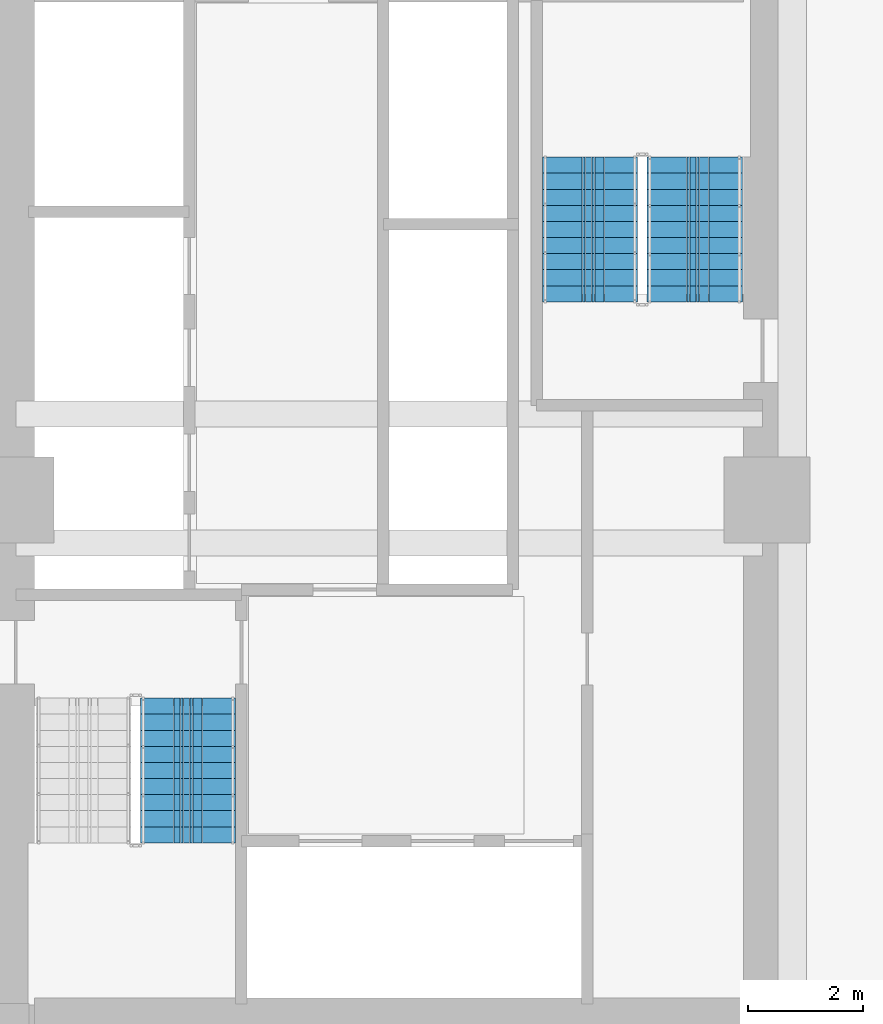
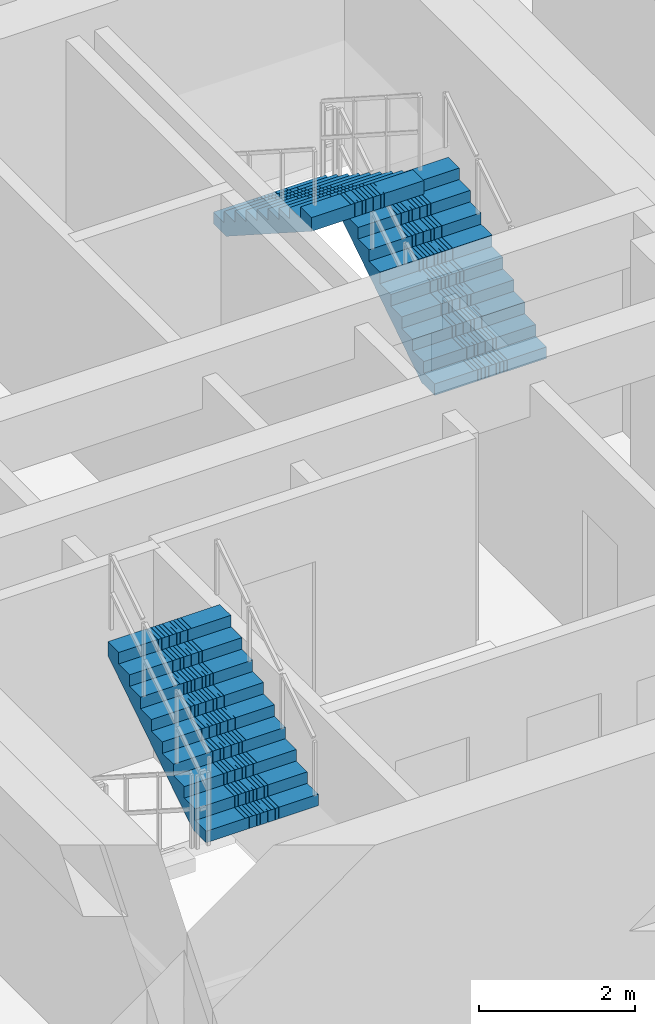
# One storey, part 22 of 30: 3 stair flights, 2 elements without a shape of their own.
"""IFC4 building model written with IfcOpenShell, lengths in metres."""

from ifc_helpers import new_model, si_unit, direction, frame, origin, place, context, subcontext, project, spatial, polyline, outline, extrude, material, type_object, element, aggregate, save


model = new_model("IFC4")

# Units and contexts
model_context = context("Model", 3, precision=1e-05, world=origin(), true_north=direction((0.0, 1.0)))
body_context = subcontext(model_context, "Body", "Model", "MODEL_VIEW")
ifc_project = project(units=[si_unit("LENGTHUNIT", "METRE"), si_unit("AREAUNIT", "SQUARE_METRE"), si_unit("VOLUMEUNIT", "CUBIC_METRE"), si_unit("PLANEANGLEUNIT", "RADIAN"), si_unit("MASSUNIT", "GRAM", prefix="KILO")], contexts=[model_context])

# Site, building, storey
site_placement = place(None, origin())
site = spatial("IfcSite", under=ifc_project, at=site_placement, CompositionType="ELEMENT")
building_placement = place(site_placement, origin())
building = spatial("IfcBuilding", under=site, at=building_placement, Name="Saelheon Loggia Tower", CompositionType="ELEMENT")
storey_placement = place(building_placement, frame((0.0, 0.0, 11.39990234375)))
storey = spatial("IfcBuildingStorey", under=building, at=storey_placement, Name="L03", CompositionType="ELEMENT", Elevation=11.39990234375)

# Stair, stair flight
ifc_material = material(Name="Concrete C40/50", Category="concrete")
stair_type = type_object("IfcStairType", Name="Stair_Escape_Core", PredefinedType="HALF_TURN_STAIR", material=ifc_material)
stair_1_placement = place(storey_placement, origin())
stair_1 = element("IfcStair", 1, at=stair_1_placement, inside=storey, type_object=stair_type, Name="L03 Special Escape Stair ST1", PredefinedType="HALF_TURN_STAIR")
stair_flight_type = type_object("IfcStairFlightType", Name="StairFlight_Tower_1660", PredefinedType="STRAIGHT", material=ifc_material)
stair_flight_1_placement = place(storey_placement, frame((34.5, 21.030029296875, 1.800048828125), z_axis=(0.0, 0.0, 1.0), x_axis=(0.0, 1.0, 0.0)))
stair_flight_1 = element("IfcStairFlight", 2, at=stair_flight_1_placement, type_object=stair_flight_type, Name="ST1 flight 2", NumberOfRisers=10, NumberOfTreads=9, PredefinedType="STRAIGHT", RiserHeight=0.18, TreadLength=0.28, context=body_context, shape_type="SweptSolid", body=[
    extrude(outline(polyline([(0.0, 0.0), (0.0, 0.179931640625), (0.280029296875, 0.179931640625), (0.280029296875, 0.360107421875), (0.56005859375, 0.360107421875), (0.56005859375, 0.5400390625), (0.840087890625, 0.5400390625), (0.840087890625, 0.719970703125), (1.1201171875, 0.719970703125), (1.1201171875, 0.89990234375), (1.39990234375, 0.89990234375), (1.39990234375, 1.080078125), (1.679931640625, 1.080078125), (1.679931640625, 1.260009765625), (1.9599609375, 1.260009765625), (1.9599609375, 1.43994140625), (2.239990234375, 1.43994140625), (2.239990234375, 1.6201171875), (2.52001953125, 1.6201171875), (2.52001953125, 1.800048828125), (2.52001953125, 1.406005859375), (0.332763671875, 0.0), (0.0, 0.0)])), frame((0.0, -0.2490234375, 0.0), z_axis=(0.0, -1.0, 0.0), x_axis=(1.0, 0.0, 0.0)), (0.0, 0.0, 1.0), 0.5810546875),
    extrude(outline(polyline([(0.0, 0.0), (0.0, 0.179931640625), (0.280029296875, 0.179931640625), (0.280029296875, 0.360107421875), (0.56005859375, 0.360107421875), (0.56005859375, 0.5400390625), (0.840087890625, 0.5400390625), (0.840087890625, 0.719970703125), (1.1201171875, 0.719970703125), (1.1201171875, 0.89990234375), (1.39990234375, 0.89990234375), (1.39990234375, 1.080078125), (1.679931640625, 1.080078125), (1.679931640625, 1.260009765625), (1.9599609375, 1.260009765625), (1.9599609375, 1.43994140625), (2.239990234375, 1.43994140625), (2.239990234375, 1.6201171875), (2.52001953125, 1.6201171875), (2.52001953125, 1.800048828125), (2.52001953125, 1.406005859375), (0.332763671875, 0.0), (0.0, 0.0)])), frame((0.0, -0.194091796875, 0.0), z_axis=(0.0, -1.0, 0.0), x_axis=(1.0, 0.0, 0.0)), (0.0, 0.0, 1.0), 0.0498046875),
    extrude(outline(polyline([(0.0, 0.0), (0.0, 0.179931640625), (0.280029296875, 0.179931640625), (0.280029296875, 0.360107421875), (0.56005859375, 0.360107421875), (0.56005859375, 0.5400390625), (0.840087890625, 0.5400390625), (0.840087890625, 0.719970703125), (1.1201171875, 0.719970703125), (1.1201171875, 0.89990234375), (1.39990234375, 0.89990234375), (1.39990234375, 1.080078125), (1.679931640625, 1.080078125), (1.679931640625, 1.260009765625), (1.9599609375, 1.260009765625), (1.9599609375, 1.43994140625), (2.239990234375, 1.43994140625), (2.239990234375, 1.6201171875), (2.52001953125, 1.6201171875), (2.52001953125, 1.800048828125), (2.52001953125, 1.406005859375), (0.332763671875, 0.0), (0.0, 0.0)])), frame((0.0, -0.139404296875, 0.0), z_axis=(0.0, -1.0, 0.0), x_axis=(1.0, 0.0, 0.0)), (0.0, 0.0, 1.0), 0.0498046875),
    extrude(outline(polyline([(0.0, 0.0), (0.0, 0.179931640625), (0.280029296875, 0.179931640625), (0.280029296875, 0.360107421875), (0.56005859375, 0.360107421875), (0.56005859375, 0.5400390625), (0.840087890625, 0.5400390625), (0.840087890625, 0.719970703125), (1.1201171875, 0.719970703125), (1.1201171875, 0.89990234375), (1.39990234375, 0.89990234375), (1.39990234375, 1.080078125), (1.679931640625, 1.080078125), (1.679931640625, 1.260009765625), (1.9599609375, 1.260009765625), (1.9599609375, 1.43994140625), (2.239990234375, 1.43994140625), (2.239990234375, 1.6201171875), (2.52001953125, 1.6201171875), (2.52001953125, 1.800048828125), (2.52001953125, 1.406005859375), (0.332763671875, 0.0), (0.0, 0.0)])), frame((0.0, -0.084716796875, 0.0), z_axis=(0.0, -1.0, 0.0), x_axis=(1.0, 0.0, 0.0)), (0.0, 0.0, 1.0), 0.0498046875),
    extrude(outline(polyline([(0.0, 0.0), (0.0, 0.179931640625), (0.280029296875, 0.179931640625), (0.280029296875, 0.360107421875), (0.56005859375, 0.360107421875), (0.56005859375, 0.5400390625), (0.840087890625, 0.5400390625), (0.840087890625, 0.719970703125), (1.1201171875, 0.719970703125), (1.1201171875, 0.89990234375), (1.39990234375, 0.89990234375), (1.39990234375, 1.080078125), (1.679931640625, 1.080078125), (1.679931640625, 1.260009765625), (1.9599609375, 1.260009765625), (1.9599609375, 1.43994140625), (2.239990234375, 1.43994140625), (2.239990234375, 1.6201171875), (2.52001953125, 1.6201171875), (2.52001953125, 1.800048828125), (2.52001953125, 1.406005859375), (0.332763671875, 0.0), (0.0, 0.0)])), frame((0.0, -0.02978515625, 0.0), z_axis=(0.0, -1.0, 0.0), x_axis=(1.0, 0.0, 0.0)), (0.0, 0.0, 1.0), 0.0498046875),
    extrude(outline(polyline([(0.0, 0.0), (0.0, 0.179931640625), (0.280029296875, 0.179931640625), (0.280029296875, 0.360107421875), (0.56005859375, 0.360107421875), (0.56005859375, 0.5400390625), (0.840087890625, 0.5400390625), (0.840087890625, 0.719970703125), (1.1201171875, 0.719970703125), (1.1201171875, 0.89990234375), (1.39990234375, 0.89990234375), (1.39990234375, 1.080078125), (1.679931640625, 1.080078125), (1.679931640625, 1.260009765625), (1.9599609375, 1.260009765625), (1.9599609375, 1.43994140625), (2.239990234375, 1.43994140625), (2.239990234375, 1.6201171875), (2.52001953125, 1.6201171875), (2.52001953125, 1.800048828125), (2.52001953125, 1.406005859375), (0.332763671875, 0.0), (0.0, 0.0)])), frame((0.0, 0.02490234375, 0.0), z_axis=(0.0, -1.0, 0.0), x_axis=(1.0, 0.0, 0.0)), (0.0, 0.0, 1.0), 0.0498046875),
    extrude(outline(polyline([(0.0, 0.0), (0.0, 0.179931640625), (0.280029296875, 0.179931640625), (0.280029296875, 0.360107421875), (0.56005859375, 0.360107421875), (0.56005859375, 0.5400390625), (0.840087890625, 0.5400390625), (0.840087890625, 0.719970703125), (1.1201171875, 0.719970703125), (1.1201171875, 0.89990234375), (1.39990234375, 0.89990234375), (1.39990234375, 1.080078125), (1.679931640625, 1.080078125), (1.679931640625, 1.260009765625), (1.9599609375, 1.260009765625), (1.9599609375, 1.43994140625), (2.239990234375, 1.43994140625), (2.239990234375, 1.6201171875), (2.52001953125, 1.6201171875), (2.52001953125, 1.800048828125), (2.52001953125, 1.406005859375), (0.332763671875, 0.0), (0.0, 0.0)])), frame((0.0, 0.07958984375, 0.0), z_axis=(0.0, -1.0, 0.0), x_axis=(1.0, 0.0, 0.0)), (0.0, 0.0, 1.0), 0.0498046875),
    extrude(outline(polyline([(0.0, 0.0), (0.0, 0.179931640625), (0.280029296875, 0.179931640625), (0.280029296875, 0.360107421875), (0.56005859375, 0.360107421875), (0.56005859375, 0.5400390625), (0.840087890625, 0.5400390625), (0.840087890625, 0.719970703125), (1.1201171875, 0.719970703125), (1.1201171875, 0.89990234375), (1.39990234375, 0.89990234375), (1.39990234375, 1.080078125), (1.679931640625, 1.080078125), (1.679931640625, 1.260009765625), (1.9599609375, 1.260009765625), (1.9599609375, 1.43994140625), (2.239990234375, 1.43994140625), (2.239990234375, 1.6201171875), (2.52001953125, 1.6201171875), (2.52001953125, 1.800048828125), (2.52001953125, 1.406005859375), (0.332763671875, 0.0), (0.0, 0.0)])), frame((0.0, 0.134521484375, 0.0), z_axis=(0.0, -1.0, 0.0), x_axis=(1.0, 0.0, 0.0)), (0.0, 0.0, 1.0), 0.0498046875),
    extrude(outline(polyline([(0.0, 0.0), (0.0, 0.179931640625), (0.280029296875, 0.179931640625), (0.280029296875, 0.360107421875), (0.56005859375, 0.360107421875), (0.56005859375, 0.5400390625), (0.840087890625, 0.5400390625), (0.840087890625, 0.719970703125), (1.1201171875, 0.719970703125), (1.1201171875, 0.89990234375), (1.39990234375, 0.89990234375), (1.39990234375, 1.080078125), (1.679931640625, 1.080078125), (1.679931640625, 1.260009765625), (1.9599609375, 1.260009765625), (1.9599609375, 1.43994140625), (2.239990234375, 1.43994140625), (2.239990234375, 1.6201171875), (2.52001953125, 1.6201171875), (2.52001953125, 1.800048828125), (2.52001953125, 1.406005859375), (0.332763671875, 0.0), (0.0, 0.0)])), frame((0.0, 0.189208984375, 0.0), z_axis=(0.0, -1.0, 0.0), x_axis=(1.0, 0.0, 0.0)), (0.0, 0.0, 1.0), 0.0498046875),
    extrude(outline(polyline([(0.0, 0.0), (0.0, 0.179931640625), (0.280029296875, 0.179931640625), (0.280029296875, 0.360107421875), (0.56005859375, 0.360107421875), (0.56005859375, 0.5400390625), (0.840087890625, 0.5400390625), (0.840087890625, 0.719970703125), (1.1201171875, 0.719970703125), (1.1201171875, 0.89990234375), (1.39990234375, 0.89990234375), (1.39990234375, 1.080078125), (1.679931640625, 1.080078125), (1.679931640625, 1.260009765625), (1.9599609375, 1.260009765625), (1.9599609375, 1.43994140625), (2.239990234375, 1.43994140625), (2.239990234375, 1.6201171875), (2.52001953125, 1.6201171875), (2.52001953125, 1.800048828125), (2.52001953125, 1.406005859375), (0.332763671875, 0.0), (0.0, 0.0)])), frame((0.0, 0.243896484375, 0.0), z_axis=(0.0, -1.0, 0.0), x_axis=(1.0, 0.0, 0.0)), (0.0, 0.0, 1.0), 0.0498046875),
    extrude(outline(polyline([(0.0, 0.0), (0.0, 0.179931640625), (0.280029296875, 0.179931640625), (0.280029296875, 0.360107421875), (0.56005859375, 0.360107421875), (0.56005859375, 0.5400390625), (0.840087890625, 0.5400390625), (0.840087890625, 0.719970703125), (1.1201171875, 0.719970703125), (1.1201171875, 0.89990234375), (1.39990234375, 0.89990234375), (1.39990234375, 1.080078125), (1.679931640625, 1.080078125), (1.679931640625, 1.260009765625), (1.9599609375, 1.260009765625), (1.9599609375, 1.43994140625), (2.239990234375, 1.43994140625), (2.239990234375, 1.6201171875), (2.52001953125, 1.6201171875), (2.52001953125, 1.800048828125), (2.52001953125, 1.406005859375), (0.332763671875, 0.0), (0.0, 0.0)])), frame((0.0, 0.830078125, 0.0), z_axis=(0.0, -1.0, 0.0), x_axis=(1.0, 0.0, 0.0)), (0.0, 0.0, 1.0), 0.5810546875),
])
aggregate(stair_1, [stair_flight_1])

# Stair, stair flights
stair_2_placement = place(storey_placement, origin())
stair_2 = element("IfcStair", 3, at=stair_2_placement, inside=storey, type_object=stair_type, Name="L03 Special Escape Stair ST2", PredefinedType="HALF_TURN_STAIR")
stair_flight_2_placement = place(storey_placement, frame((43.320068359375, 30.449951171875, 0.0), z_axis=(0.0, 0.0, 1.0), x_axis=(0.0, 1.0, 0.0)))
stair_flight_2 = element("IfcStairFlight", 4, at=stair_flight_2_placement, type_object=stair_flight_type, Name="ST2 flight 1", NumberOfRisers=10, NumberOfTreads=9, PredefinedType="STRAIGHT", RiserHeight=0.18, TreadLength=0.28, context=body_context, shape_type="SweptSolid", body=[
    extrude(outline(polyline([(0.0, 0.0), (0.0, 0.179931640625), (0.280029296875, 0.179931640625), (0.280029296875, 0.360107421875), (0.56005859375, 0.360107421875), (0.56005859375, 0.5400390625), (0.840087890625, 0.5400390625), (0.840087890625, 0.719970703125), (1.1201171875, 0.719970703125), (1.1201171875, 0.89990234375), (1.39990234375, 0.89990234375), (1.39990234375, 1.080078125), (1.679931640625, 1.080078125), (1.679931640625, 1.260009765625), (1.9599609375, 1.260009765625), (1.9599609375, 1.43994140625), (2.239990234375, 1.43994140625), (2.239990234375, 1.6201171875), (2.52001953125, 1.6201171875), (2.52001953125, 1.800048828125), (2.52001953125, 1.406005859375), (0.332763671875, 0.0), (0.0, 0.0)])), frame((0.0, -0.2490234375, 0.0), z_axis=(0.0, -1.0, 0.0), x_axis=(1.0, 0.0, 0.0)), (0.0, 0.0, 1.0), 0.5810546875),
    extrude(outline(polyline([(0.0, 0.0), (0.0, 0.179931640625), (0.280029296875, 0.179931640625), (0.280029296875, 0.360107421875), (0.56005859375, 0.360107421875), (0.56005859375, 0.5400390625), (0.840087890625, 0.5400390625), (0.840087890625, 0.719970703125), (1.1201171875, 0.719970703125), (1.1201171875, 0.89990234375), (1.39990234375, 0.89990234375), (1.39990234375, 1.080078125), (1.679931640625, 1.080078125), (1.679931640625, 1.260009765625), (1.9599609375, 1.260009765625), (1.9599609375, 1.43994140625), (2.239990234375, 1.43994140625), (2.239990234375, 1.6201171875), (2.52001953125, 1.6201171875), (2.52001953125, 1.800048828125), (2.52001953125, 1.406005859375), (0.332763671875, 0.0), (0.0, 0.0)])), frame((0.0, -0.194091796875, 0.0), z_axis=(0.0, -1.0, 0.0), x_axis=(1.0, 0.0, 0.0)), (0.0, 0.0, 1.0), 0.0498046875),
    extrude(outline(polyline([(0.0, 0.0), (0.0, 0.179931640625), (0.280029296875, 0.179931640625), (0.280029296875, 0.360107421875), (0.56005859375, 0.360107421875), (0.56005859375, 0.5400390625), (0.840087890625, 0.5400390625), (0.840087890625, 0.719970703125), (1.1201171875, 0.719970703125), (1.1201171875, 0.89990234375), (1.39990234375, 0.89990234375), (1.39990234375, 1.080078125), (1.679931640625, 1.080078125), (1.679931640625, 1.260009765625), (1.9599609375, 1.260009765625), (1.9599609375, 1.43994140625), (2.239990234375, 1.43994140625), (2.239990234375, 1.6201171875), (2.52001953125, 1.6201171875), (2.52001953125, 1.800048828125), (2.52001953125, 1.406005859375), (0.332763671875, 0.0), (0.0, 0.0)])), frame((0.0, -0.139404296875, 0.0), z_axis=(0.0, -1.0, 0.0), x_axis=(1.0, 0.0, 0.0)), (0.0, 0.0, 1.0), 0.0498046875),
    extrude(outline(polyline([(0.0, 0.0), (0.0, 0.179931640625), (0.280029296875, 0.179931640625), (0.280029296875, 0.360107421875), (0.56005859375, 0.360107421875), (0.56005859375, 0.5400390625), (0.840087890625, 0.5400390625), (0.840087890625, 0.719970703125), (1.1201171875, 0.719970703125), (1.1201171875, 0.89990234375), (1.39990234375, 0.89990234375), (1.39990234375, 1.080078125), (1.679931640625, 1.080078125), (1.679931640625, 1.260009765625), (1.9599609375, 1.260009765625), (1.9599609375, 1.43994140625), (2.239990234375, 1.43994140625), (2.239990234375, 1.6201171875), (2.52001953125, 1.6201171875), (2.52001953125, 1.800048828125), (2.52001953125, 1.406005859375), (0.332763671875, 0.0), (0.0, 0.0)])), frame((0.0, -0.084716796875, 0.0), z_axis=(0.0, -1.0, 0.0), x_axis=(1.0, 0.0, 0.0)), (0.0, 0.0, 1.0), 0.0498046875),
    extrude(outline(polyline([(0.0, 0.0), (0.0, 0.179931640625), (0.280029296875, 0.179931640625), (0.280029296875, 0.360107421875), (0.56005859375, 0.360107421875), (0.56005859375, 0.5400390625), (0.840087890625, 0.5400390625), (0.840087890625, 0.719970703125), (1.1201171875, 0.719970703125), (1.1201171875, 0.89990234375), (1.39990234375, 0.89990234375), (1.39990234375, 1.080078125), (1.679931640625, 1.080078125), (1.679931640625, 1.260009765625), (1.9599609375, 1.260009765625), (1.9599609375, 1.43994140625), (2.239990234375, 1.43994140625), (2.239990234375, 1.6201171875), (2.52001953125, 1.6201171875), (2.52001953125, 1.800048828125), (2.52001953125, 1.406005859375), (0.332763671875, 0.0), (0.0, 0.0)])), frame((0.0, -0.02978515625, 0.0), z_axis=(0.0, -1.0, 0.0), x_axis=(1.0, 0.0, 0.0)), (0.0, 0.0, 1.0), 0.0498046875),
    extrude(outline(polyline([(0.0, 0.0), (0.0, 0.179931640625), (0.280029296875, 0.179931640625), (0.280029296875, 0.360107421875), (0.56005859375, 0.360107421875), (0.56005859375, 0.5400390625), (0.840087890625, 0.5400390625), (0.840087890625, 0.719970703125), (1.1201171875, 0.719970703125), (1.1201171875, 0.89990234375), (1.39990234375, 0.89990234375), (1.39990234375, 1.080078125), (1.679931640625, 1.080078125), (1.679931640625, 1.260009765625), (1.9599609375, 1.260009765625), (1.9599609375, 1.43994140625), (2.239990234375, 1.43994140625), (2.239990234375, 1.6201171875), (2.52001953125, 1.6201171875), (2.52001953125, 1.800048828125), (2.52001953125, 1.406005859375), (0.332763671875, 0.0), (0.0, 0.0)])), frame((0.0, 0.02490234375, 0.0), z_axis=(0.0, -1.0, 0.0), x_axis=(1.0, 0.0, 0.0)), (0.0, 0.0, 1.0), 0.0498046875),
    extrude(outline(polyline([(0.0, 0.0), (0.0, 0.179931640625), (0.280029296875, 0.179931640625), (0.280029296875, 0.360107421875), (0.56005859375, 0.360107421875), (0.56005859375, 0.5400390625), (0.840087890625, 0.5400390625), (0.840087890625, 0.719970703125), (1.1201171875, 0.719970703125), (1.1201171875, 0.89990234375), (1.39990234375, 0.89990234375), (1.39990234375, 1.080078125), (1.679931640625, 1.080078125), (1.679931640625, 1.260009765625), (1.9599609375, 1.260009765625), (1.9599609375, 1.43994140625), (2.239990234375, 1.43994140625), (2.239990234375, 1.6201171875), (2.52001953125, 1.6201171875), (2.52001953125, 1.800048828125), (2.52001953125, 1.406005859375), (0.332763671875, 0.0), (0.0, 0.0)])), frame((0.0, 0.07958984375, 0.0), z_axis=(0.0, -1.0, 0.0), x_axis=(1.0, 0.0, 0.0)), (0.0, 0.0, 1.0), 0.0498046875),
    extrude(outline(polyline([(0.0, 0.0), (0.0, 0.179931640625), (0.280029296875, 0.179931640625), (0.280029296875, 0.360107421875), (0.56005859375, 0.360107421875), (0.56005859375, 0.5400390625), (0.840087890625, 0.5400390625), (0.840087890625, 0.719970703125), (1.1201171875, 0.719970703125), (1.1201171875, 0.89990234375), (1.39990234375, 0.89990234375), (1.39990234375, 1.080078125), (1.679931640625, 1.080078125), (1.679931640625, 1.260009765625), (1.9599609375, 1.260009765625), (1.9599609375, 1.43994140625), (2.239990234375, 1.43994140625), (2.239990234375, 1.6201171875), (2.52001953125, 1.6201171875), (2.52001953125, 1.800048828125), (2.52001953125, 1.406005859375), (0.332763671875, 0.0), (0.0, 0.0)])), frame((0.0, 0.134521484375, 0.0), z_axis=(0.0, -1.0, 0.0), x_axis=(1.0, 0.0, 0.0)), (0.0, 0.0, 1.0), 0.0498046875),
    extrude(outline(polyline([(0.0, 0.0), (0.0, 0.179931640625), (0.280029296875, 0.179931640625), (0.280029296875, 0.360107421875), (0.56005859375, 0.360107421875), (0.56005859375, 0.5400390625), (0.840087890625, 0.5400390625), (0.840087890625, 0.719970703125), (1.1201171875, 0.719970703125), (1.1201171875, 0.89990234375), (1.39990234375, 0.89990234375), (1.39990234375, 1.080078125), (1.679931640625, 1.080078125), (1.679931640625, 1.260009765625), (1.9599609375, 1.260009765625), (1.9599609375, 1.43994140625), (2.239990234375, 1.43994140625), (2.239990234375, 1.6201171875), (2.52001953125, 1.6201171875), (2.52001953125, 1.800048828125), (2.52001953125, 1.406005859375), (0.332763671875, 0.0), (0.0, 0.0)])), frame((0.0, 0.189208984375, 0.0), z_axis=(0.0, -1.0, 0.0), x_axis=(1.0, 0.0, 0.0)), (0.0, 0.0, 1.0), 0.0498046875),
    extrude(outline(polyline([(0.0, 0.0), (0.0, 0.179931640625), (0.280029296875, 0.179931640625), (0.280029296875, 0.360107421875), (0.56005859375, 0.360107421875), (0.56005859375, 0.5400390625), (0.840087890625, 0.5400390625), (0.840087890625, 0.719970703125), (1.1201171875, 0.719970703125), (1.1201171875, 0.89990234375), (1.39990234375, 0.89990234375), (1.39990234375, 1.080078125), (1.679931640625, 1.080078125), (1.679931640625, 1.260009765625), (1.9599609375, 1.260009765625), (1.9599609375, 1.43994140625), (2.239990234375, 1.43994140625), (2.239990234375, 1.6201171875), (2.52001953125, 1.6201171875), (2.52001953125, 1.800048828125), (2.52001953125, 1.406005859375), (0.332763671875, 0.0), (0.0, 0.0)])), frame((0.0, 0.243896484375, 0.0), z_axis=(0.0, -1.0, 0.0), x_axis=(1.0, 0.0, 0.0)), (0.0, 0.0, 1.0), 0.0498046875),
    extrude(outline(polyline([(0.0, 0.0), (0.0, 0.179931640625), (0.280029296875, 0.179931640625), (0.280029296875, 0.360107421875), (0.56005859375, 0.360107421875), (0.56005859375, 0.5400390625), (0.840087890625, 0.5400390625), (0.840087890625, 0.719970703125), (1.1201171875, 0.719970703125), (1.1201171875, 0.89990234375), (1.39990234375, 0.89990234375), (1.39990234375, 1.080078125), (1.679931640625, 1.080078125), (1.679931640625, 1.260009765625), (1.9599609375, 1.260009765625), (1.9599609375, 1.43994140625), (2.239990234375, 1.43994140625), (2.239990234375, 1.6201171875), (2.52001953125, 1.6201171875), (2.52001953125, 1.800048828125), (2.52001953125, 1.406005859375), (0.332763671875, 0.0), (0.0, 0.0)])), frame((0.0, 0.830078125, 0.0), z_axis=(0.0, -1.0, 0.0), x_axis=(1.0, 0.0, 0.0)), (0.0, 0.0, 1.0), 0.5810546875),
])
stair_flight_3_placement = place(storey_placement, frame((41.5, 32.969970703125, 1.800048828125), z_axis=(0.0, 0.0, 1.0), x_axis=(0.0, -1.0, 0.0)))
stair_flight_3 = element("IfcStairFlight", 5, at=stair_flight_3_placement, type_object=stair_flight_type, Name="ST2 flight 2", NumberOfRisers=10, NumberOfTreads=9, PredefinedType="STRAIGHT", RiserHeight=0.18, TreadLength=0.28, context=body_context, shape_type="SweptSolid", body=[
    extrude(outline(polyline([(0.0, 0.0), (0.0, 0.179931640625), (0.280029296875, 0.179931640625), (0.280029296875, 0.360107421875), (0.56005859375, 0.360107421875), (0.56005859375, 0.5400390625), (0.840087890625, 0.5400390625), (0.840087890625, 0.719970703125), (1.1201171875, 0.719970703125), (1.1201171875, 0.89990234375), (1.39990234375, 0.89990234375), (1.39990234375, 1.080078125), (1.679931640625, 1.080078125), (1.679931640625, 1.260009765625), (1.9599609375, 1.260009765625), (1.9599609375, 1.43994140625), (2.239990234375, 1.43994140625), (2.239990234375, 1.6201171875), (2.52001953125, 1.6201171875), (2.52001953125, 1.800048828125), (2.52001953125, 1.406005859375), (0.332763671875, 0.0), (0.0, 0.0)])), frame((0.0, -0.2490234375, 0.0), z_axis=(0.0, -1.0, 0.0), x_axis=(1.0, 0.0, 0.0)), (0.0, 0.0, 1.0), 0.5810546875),
    extrude(outline(polyline([(0.0, 0.0), (0.0, 0.179931640625), (0.280029296875, 0.179931640625), (0.280029296875, 0.360107421875), (0.56005859375, 0.360107421875), (0.56005859375, 0.5400390625), (0.840087890625, 0.5400390625), (0.840087890625, 0.719970703125), (1.1201171875, 0.719970703125), (1.1201171875, 0.89990234375), (1.39990234375, 0.89990234375), (1.39990234375, 1.080078125), (1.679931640625, 1.080078125), (1.679931640625, 1.260009765625), (1.9599609375, 1.260009765625), (1.9599609375, 1.43994140625), (2.239990234375, 1.43994140625), (2.239990234375, 1.6201171875), (2.52001953125, 1.6201171875), (2.52001953125, 1.800048828125), (2.52001953125, 1.406005859375), (0.332763671875, 0.0), (0.0, 0.0)])), frame((0.0, -0.194091796875, 0.0), z_axis=(0.0, -1.0, 0.0), x_axis=(1.0, 0.0, 0.0)), (0.0, 0.0, 1.0), 0.0498046875),
    extrude(outline(polyline([(0.0, 0.0), (0.0, 0.179931640625), (0.280029296875, 0.179931640625), (0.280029296875, 0.360107421875), (0.56005859375, 0.360107421875), (0.56005859375, 0.5400390625), (0.840087890625, 0.5400390625), (0.840087890625, 0.719970703125), (1.1201171875, 0.719970703125), (1.1201171875, 0.89990234375), (1.39990234375, 0.89990234375), (1.39990234375, 1.080078125), (1.679931640625, 1.080078125), (1.679931640625, 1.260009765625), (1.9599609375, 1.260009765625), (1.9599609375, 1.43994140625), (2.239990234375, 1.43994140625), (2.239990234375, 1.6201171875), (2.52001953125, 1.6201171875), (2.52001953125, 1.800048828125), (2.52001953125, 1.406005859375), (0.332763671875, 0.0), (0.0, 0.0)])), frame((0.0, -0.139404296875, 0.0), z_axis=(0.0, -1.0, 0.0), x_axis=(1.0, 0.0, 0.0)), (0.0, 0.0, 1.0), 0.0498046875),
    extrude(outline(polyline([(0.0, 0.0), (0.0, 0.179931640625), (0.280029296875, 0.179931640625), (0.280029296875, 0.360107421875), (0.56005859375, 0.360107421875), (0.56005859375, 0.5400390625), (0.840087890625, 0.5400390625), (0.840087890625, 0.719970703125), (1.1201171875, 0.719970703125), (1.1201171875, 0.89990234375), (1.39990234375, 0.89990234375), (1.39990234375, 1.080078125), (1.679931640625, 1.080078125), (1.679931640625, 1.260009765625), (1.9599609375, 1.260009765625), (1.9599609375, 1.43994140625), (2.239990234375, 1.43994140625), (2.239990234375, 1.6201171875), (2.52001953125, 1.6201171875), (2.52001953125, 1.800048828125), (2.52001953125, 1.406005859375), (0.332763671875, 0.0), (0.0, 0.0)])), frame((0.0, -0.084716796875, 0.0), z_axis=(0.0, -1.0, 0.0), x_axis=(1.0, 0.0, 0.0)), (0.0, 0.0, 1.0), 0.0498046875),
    extrude(outline(polyline([(0.0, 0.0), (0.0, 0.179931640625), (0.280029296875, 0.179931640625), (0.280029296875, 0.360107421875), (0.56005859375, 0.360107421875), (0.56005859375, 0.5400390625), (0.840087890625, 0.5400390625), (0.840087890625, 0.719970703125), (1.1201171875, 0.719970703125), (1.1201171875, 0.89990234375), (1.39990234375, 0.89990234375), (1.39990234375, 1.080078125), (1.679931640625, 1.080078125), (1.679931640625, 1.260009765625), (1.9599609375, 1.260009765625), (1.9599609375, 1.43994140625), (2.239990234375, 1.43994140625), (2.239990234375, 1.6201171875), (2.52001953125, 1.6201171875), (2.52001953125, 1.800048828125), (2.52001953125, 1.406005859375), (0.332763671875, 0.0), (0.0, 0.0)])), frame((0.0, -0.02978515625, 0.0), z_axis=(0.0, -1.0, 0.0), x_axis=(1.0, 0.0, 0.0)), (0.0, 0.0, 1.0), 0.0498046875),
    extrude(outline(polyline([(0.0, 0.0), (0.0, 0.179931640625), (0.280029296875, 0.179931640625), (0.280029296875, 0.360107421875), (0.56005859375, 0.360107421875), (0.56005859375, 0.5400390625), (0.840087890625, 0.5400390625), (0.840087890625, 0.719970703125), (1.1201171875, 0.719970703125), (1.1201171875, 0.89990234375), (1.39990234375, 0.89990234375), (1.39990234375, 1.080078125), (1.679931640625, 1.080078125), (1.679931640625, 1.260009765625), (1.9599609375, 1.260009765625), (1.9599609375, 1.43994140625), (2.239990234375, 1.43994140625), (2.239990234375, 1.6201171875), (2.52001953125, 1.6201171875), (2.52001953125, 1.800048828125), (2.52001953125, 1.406005859375), (0.332763671875, 0.0), (0.0, 0.0)])), frame((0.0, 0.02490234375, 0.0), z_axis=(0.0, -1.0, 0.0), x_axis=(1.0, 0.0, 0.0)), (0.0, 0.0, 1.0), 0.0498046875),
    extrude(outline(polyline([(0.0, 0.0), (0.0, 0.179931640625), (0.280029296875, 0.179931640625), (0.280029296875, 0.360107421875), (0.56005859375, 0.360107421875), (0.56005859375, 0.5400390625), (0.840087890625, 0.5400390625), (0.840087890625, 0.719970703125), (1.1201171875, 0.719970703125), (1.1201171875, 0.89990234375), (1.39990234375, 0.89990234375), (1.39990234375, 1.080078125), (1.679931640625, 1.080078125), (1.679931640625, 1.260009765625), (1.9599609375, 1.260009765625), (1.9599609375, 1.43994140625), (2.239990234375, 1.43994140625), (2.239990234375, 1.6201171875), (2.52001953125, 1.6201171875), (2.52001953125, 1.800048828125), (2.52001953125, 1.406005859375), (0.332763671875, 0.0), (0.0, 0.0)])), frame((0.0, 0.07958984375, 0.0), z_axis=(0.0, -1.0, 0.0), x_axis=(1.0, 0.0, 0.0)), (0.0, 0.0, 1.0), 0.0498046875),
    extrude(outline(polyline([(0.0, 0.0), (0.0, 0.179931640625), (0.280029296875, 0.179931640625), (0.280029296875, 0.360107421875), (0.56005859375, 0.360107421875), (0.56005859375, 0.5400390625), (0.840087890625, 0.5400390625), (0.840087890625, 0.719970703125), (1.1201171875, 0.719970703125), (1.1201171875, 0.89990234375), (1.39990234375, 0.89990234375), (1.39990234375, 1.080078125), (1.679931640625, 1.080078125), (1.679931640625, 1.260009765625), (1.9599609375, 1.260009765625), (1.9599609375, 1.43994140625), (2.239990234375, 1.43994140625), (2.239990234375, 1.6201171875), (2.52001953125, 1.6201171875), (2.52001953125, 1.800048828125), (2.52001953125, 1.406005859375), (0.332763671875, 0.0), (0.0, 0.0)])), frame((0.0, 0.134521484375, 0.0), z_axis=(0.0, -1.0, 0.0), x_axis=(1.0, 0.0, 0.0)), (0.0, 0.0, 1.0), 0.0498046875),
    extrude(outline(polyline([(0.0, 0.0), (0.0, 0.179931640625), (0.280029296875, 0.179931640625), (0.280029296875, 0.360107421875), (0.56005859375, 0.360107421875), (0.56005859375, 0.5400390625), (0.840087890625, 0.5400390625), (0.840087890625, 0.719970703125), (1.1201171875, 0.719970703125), (1.1201171875, 0.89990234375), (1.39990234375, 0.89990234375), (1.39990234375, 1.080078125), (1.679931640625, 1.080078125), (1.679931640625, 1.260009765625), (1.9599609375, 1.260009765625), (1.9599609375, 1.43994140625), (2.239990234375, 1.43994140625), (2.239990234375, 1.6201171875), (2.52001953125, 1.6201171875), (2.52001953125, 1.800048828125), (2.52001953125, 1.406005859375), (0.332763671875, 0.0), (0.0, 0.0)])), frame((0.0, 0.189208984375, 0.0), z_axis=(0.0, -1.0, 0.0), x_axis=(1.0, 0.0, 0.0)), (0.0, 0.0, 1.0), 0.0498046875),
    extrude(outline(polyline([(0.0, 0.0), (0.0, 0.179931640625), (0.280029296875, 0.179931640625), (0.280029296875, 0.360107421875), (0.56005859375, 0.360107421875), (0.56005859375, 0.5400390625), (0.840087890625, 0.5400390625), (0.840087890625, 0.719970703125), (1.1201171875, 0.719970703125), (1.1201171875, 0.89990234375), (1.39990234375, 0.89990234375), (1.39990234375, 1.080078125), (1.679931640625, 1.080078125), (1.679931640625, 1.260009765625), (1.9599609375, 1.260009765625), (1.9599609375, 1.43994140625), (2.239990234375, 1.43994140625), (2.239990234375, 1.6201171875), (2.52001953125, 1.6201171875), (2.52001953125, 1.800048828125), (2.52001953125, 1.406005859375), (0.332763671875, 0.0), (0.0, 0.0)])), frame((0.0, 0.243896484375, 0.0), z_axis=(0.0, -1.0, 0.0), x_axis=(1.0, 0.0, 0.0)), (0.0, 0.0, 1.0), 0.0498046875),
    extrude(outline(polyline([(0.0, 0.0), (0.0, 0.179931640625), (0.280029296875, 0.179931640625), (0.280029296875, 0.360107421875), (0.56005859375, 0.360107421875), (0.56005859375, 0.5400390625), (0.840087890625, 0.5400390625), (0.840087890625, 0.719970703125), (1.1201171875, 0.719970703125), (1.1201171875, 0.89990234375), (1.39990234375, 0.89990234375), (1.39990234375, 1.080078125), (1.679931640625, 1.080078125), (1.679931640625, 1.260009765625), (1.9599609375, 1.260009765625), (1.9599609375, 1.43994140625), (2.239990234375, 1.43994140625), (2.239990234375, 1.6201171875), (2.52001953125, 1.6201171875), (2.52001953125, 1.800048828125), (2.52001953125, 1.406005859375), (0.332763671875, 0.0), (0.0, 0.0)])), frame((0.0, 0.830078125, 0.0), z_axis=(0.0, -1.0, 0.0), x_axis=(1.0, 0.0, 0.0)), (0.0, 0.0, 1.0), 0.5810546875),
])
aggregate(stair_2, [stair_flight_2, stair_flight_3])

save(model, "model.ifc")
